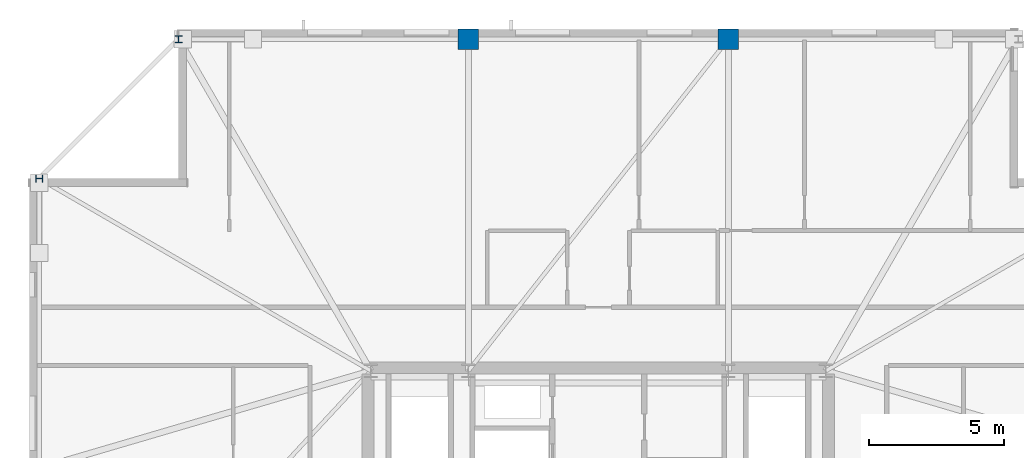
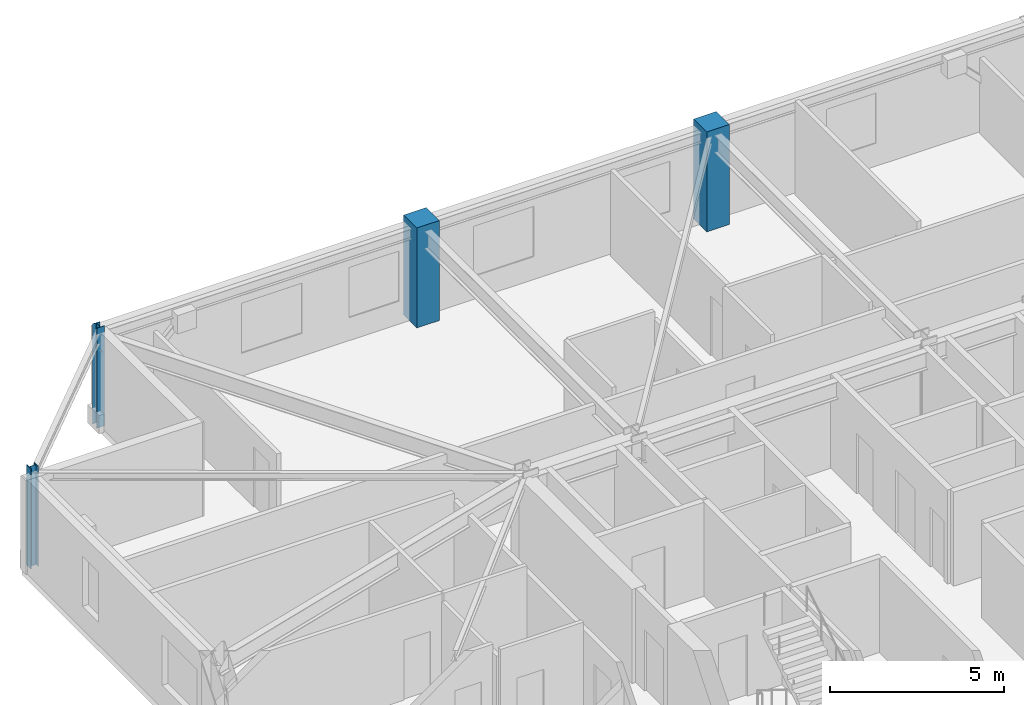
# One storey, part 4 of 15: 4 columns.
"""IFC4 building model written with IfcOpenShell, lengths in metres."""

from ifc_helpers import new_model, si_unit, direction, frame, origin, origin_2d, place, context, subcontext, project, spatial, rectangle, i_section, extrude, material, material_profile, profile_set, type_object, element, save


model = new_model("IFC4")

# Units and contexts
model_context = context("Model", 3, precision=1e-05, world=origin(), true_north=direction((0.0, 1.0)))
body_context = subcontext(model_context, "Body", "Model", "MODEL_VIEW")
ifc_project = project(units=[si_unit("LENGTHUNIT", "METRE"), si_unit("AREAUNIT", "SQUARE_METRE"), si_unit("VOLUMEUNIT", "CUBIC_METRE"), si_unit("PLANEANGLEUNIT", "RADIAN"), si_unit("MASSUNIT", "GRAM", prefix="KILO")], contexts=[model_context])

# Site, building, storey
site_placement = place(None, origin())
site = spatial("IfcSite", under=ifc_project, at=site_placement, CompositionType="ELEMENT")
building_placement = place(site_placement, origin())
building = spatial("IfcBuilding", under=site, at=building_placement, Name="Cairnveth Concourse Tower", CompositionType="ELEMENT")
storey_placement = place(building_placement, frame((0.0, 0.0, 287.5)))
storey = spatial("IfcBuildingStorey", under=building, at=storey_placement, Name="L79", CompositionType="ELEMENT", Elevation=287.5)

# Columns
ifc_material_1 = material(Name="Concrete N50 (50 MPa)", Category="concrete")
ifc_material_profile_1 = material_profile(ifc_material_1, rectangle(XDim=0.75, YDim=0.75, at=origin_2d()), Name="RC-COL-750x750")
ifc_profile_set_1 = profile_set([ifc_material_profile_1], Name="Concrete N50 (50 MPa)")
column_type_1 = type_object("IfcColumnType", Name="PERIMETER PIER COLUMN 750X750", PredefinedType="COLUMN", material=ifc_profile_set_1)
for number, where, z_axis, x_axis, name in (
    (1, (56.800048828125, 59.64990234375, 0.0), (0.0, 0.0, 1.0), (1.0, 0.0, 0.0), "Column P-N2 L79"),
    (2, (47.199951171875, 59.64990234375, 0.0), (0.0, 0.0, 1.0), (1.0, 0.0, 0.0), "Column P-N3 L79"),
):
    element("IfcColumn", number, at=place(storey_placement, frame(where, z_axis=z_axis, x_axis=x_axis)), inside=storey, type_object=column_type_1, Name=name, PredefinedType="COLUMN", context=body_context, shape_type="SweptSolid", body=[
        extrude(rectangle(XDim=0.75, YDim=0.75, at=origin_2d()), origin(), (0.0, 0.0, 1.0), 3.5),
    ])
ifc_material_2 = material(Name="Steel Grade 350", Category="steel")
ifc_material_profile_2 = material_profile(ifc_material_2, i_section(OverallWidth=0.25390625, OverallDepth=0.25390625, WebThickness=0.008544921875, FlangeThickness=0.01416015625, FilletRadius=0.012939453125, at=origin_2d()), Name="250UC72.9")
ifc_profile_set_2 = profile_set([ifc_material_profile_2], Name="Steel Grade 350")
column_type_2 = type_object("IfcColumnType", Name="UNIVERSAL STEEL COLUMN 250UC72.9", PredefinedType="COLUMN", material=ifc_profile_set_2)
for number, where, z_axis, x_axis, name in (
    (3, (36.5, 59.64990234375, 0.0), (0.0, 0.0, 1.0), (1.0, 0.0, 0.0), "Column P-N4 L79"),
    (4, (31.35009765625, 54.5, 0.0), (0.0, 0.0, 1.0), (0.0, 1.0, 0.0), "Column P-W1 L79"),
):
    element("IfcColumn", number, at=place(storey_placement, frame(where, z_axis=z_axis, x_axis=x_axis)), inside=storey, type_object=column_type_2, Name=name, PredefinedType="COLUMN", context=body_context, shape_type="SweptSolid", body=[
        extrude(i_section(OverallWidth=0.25390625, OverallDepth=0.25390625, WebThickness=0.008544921875, FlangeThickness=0.01416015625, FilletRadius=0.012939453125, at=origin_2d()), origin(), (0.0, 0.0, 1.0), 3.5),
    ])

save(model, "model.ifc")
